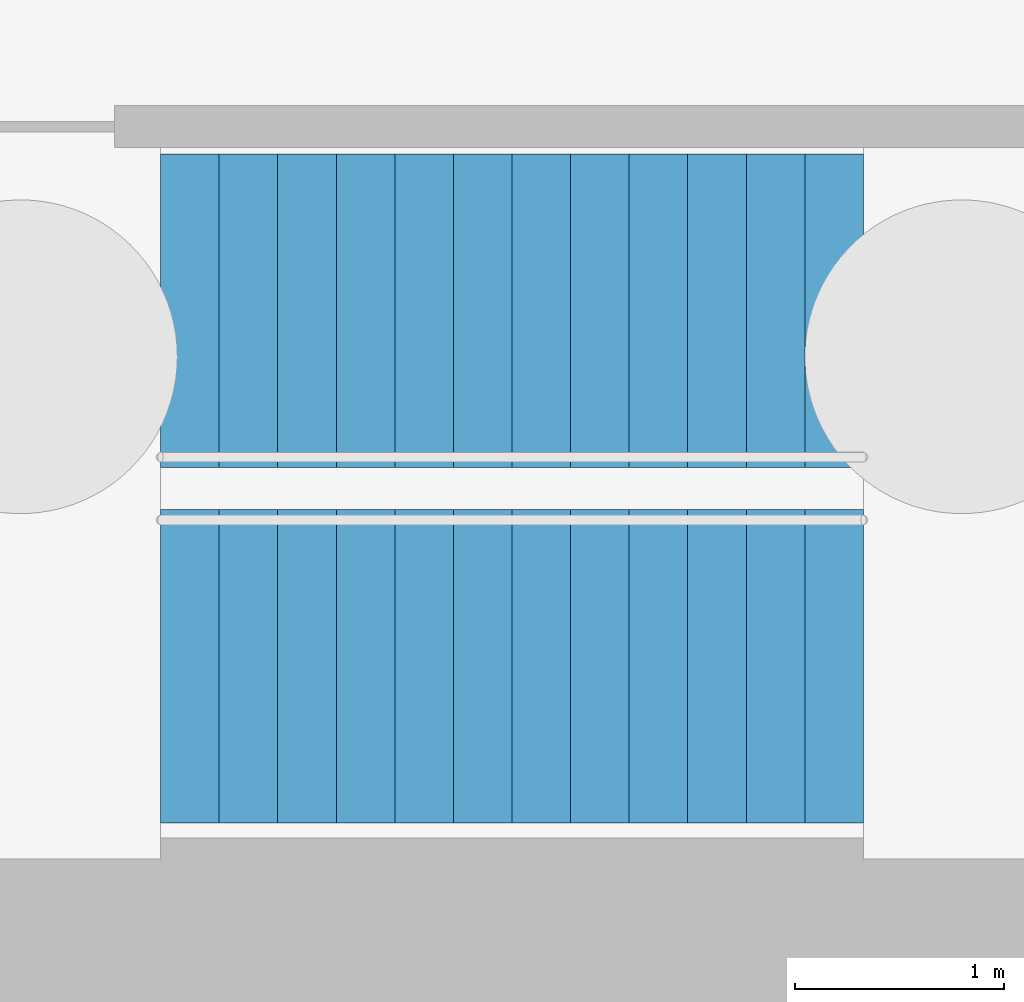
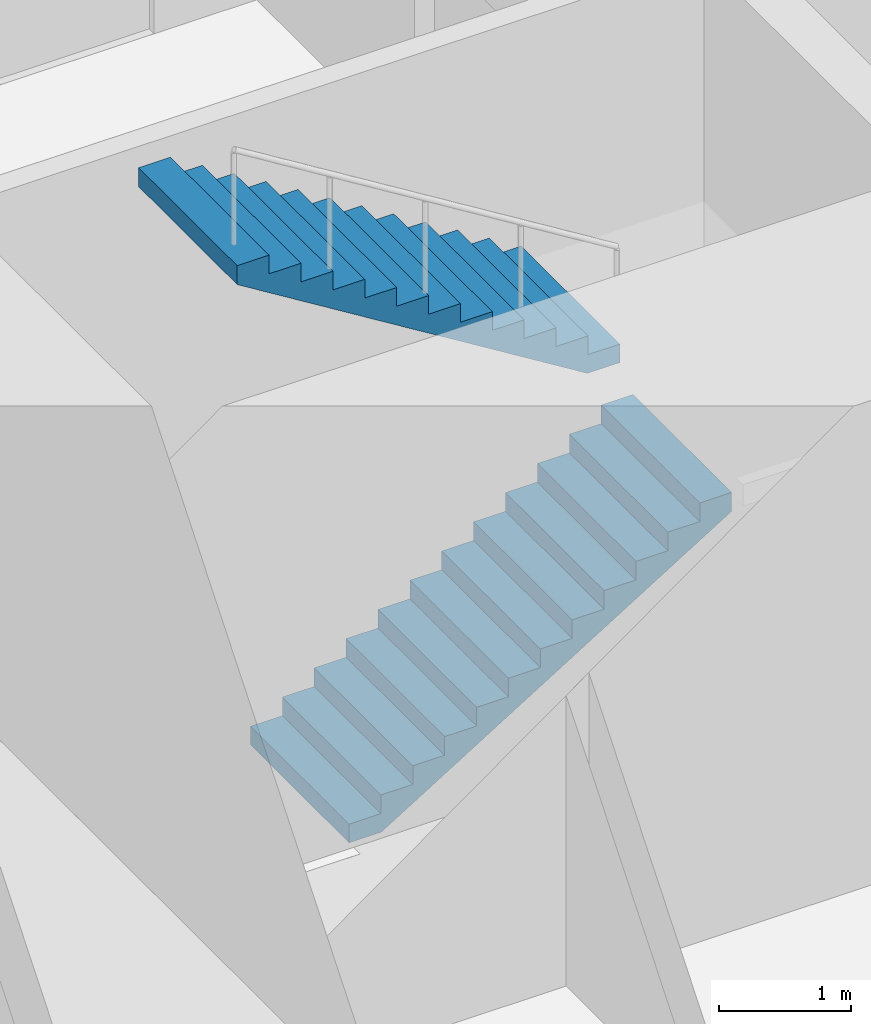
# One storey, part 8 of 11: 2 stair flights, 1 element without a shape of its own.
"""IFC4 building model written with IfcOpenShell, lengths in metres."""

from ifc_helpers import new_model, si_unit, direction, frame, origin, place, context, subcontext, project, spatial, triangles, material, type_object, element, aggregate, save


model = new_model("IFC4")

# Units and contexts
model_context = context("Model", 3, precision=1e-05, world=origin(), true_north=direction((0.0, 1.0)))
body_context = subcontext(model_context, "Body", "Model", "MODEL_VIEW")
ifc_project = project(units=[si_unit("LENGTHUNIT", "METRE"), si_unit("AREAUNIT", "SQUARE_METRE"), si_unit("VOLUMEUNIT", "CUBIC_METRE"), si_unit("PLANEANGLEUNIT", "RADIAN"), si_unit("MASSUNIT", "GRAM", prefix="KILO")], contexts=[model_context])

# Site, building, storey
site_placement = place(None, origin())
site = spatial("IfcSite", under=ifc_project, at=site_placement, CompositionType="ELEMENT")
building_placement = place(site_placement, origin())
building = spatial("IfcBuilding", under=site, at=building_placement, Name="Lantaw Convention Tower", CompositionType="ELEMENT")
storey_placement = place(building_placement, frame((0.0, 0.0, -10.0)))
storey = spatial("IfcBuildingStorey", under=building, at=storey_placement, Name="B2", CompositionType="ELEMENT", Elevation=-10.0)

# Stair, stair flights
ifc_material = material(Name="Concrete C35/45", Category="concrete")
stair_type = type_object("IfcStairType", Name="Exit stair 1500 riser 173.08 in 2 flights", PredefinedType="HALF_TURN_STAIR", material=ifc_material)
stair_placement = place(storey_placement, origin())
stair = element("IfcStair", 1, at=stair_placement, inside=storey, type_object=stair_type, Name="Exit stair S1 B2", PredefinedType="HALF_TURN_STAIR")
stair_flight_type = type_object("IfcStairFlightType", Name="Stair flight 1500 riser 173.08", PredefinedType="STRAIGHT", material=ifc_material)
stair_flight_1_placement = place(storey_placement, frame((-10.580078125, -5.97998046875, 0.0), z_axis=(0.0, 0.0, 1.0), x_axis=(1.0, 0.0, 0.0)))
stair_flight_1 = element("IfcStairFlight", 2, at=stair_flight_1_placement, type_object=stair_flight_type, Name="S1 flight 1", NumberOfRisers=13, NumberOfTreads=12, PredefinedType="STRAIGHT", RiserHeight=0.173076923, TreadLength=0.28, context=body_context, shape_type="Tessellation", body=[
    triangles([(0.0, 0.75, 0.0), (0.0, 0.75, 0.173076923), (0.28, 0.75, 0.0), (0.28, 0.75, 0.173076923), (0.28, 0.75, 0.346153846), (0.28509853184261624, 0.75, 0.0), (0.28509853184261624, 0.75, 0.346153846), (0.56, 0.75, 0.16992535798879452), (0.56, 0.75, 0.346153846), (0.56, 0.75, 0.519230769), (0.8400000000000001, 0.75, 0.34300228098879454), (0.8400000000000001, 0.75, 0.519230769), (0.8400000000000001, 0.75, 0.692307692), (1.12, 0.75, 0.5160792039887945), (1.12, 0.75, 0.692307692), (1.12, 0.75, 0.865384615), (1.4000000000000001, 0.75, 0.6891561269887945), (1.4000000000000001, 0.75, 0.865384615), (1.4000000000000001, 0.75, 1.038461538), (1.6800000000000002, 0.75, 0.8622330499887946), (1.6800000000000002, 0.75, 1.038461538), (1.6800000000000002, 0.75, 1.211538461), (1.9600000000000002, 0.75, 1.0353099729887945), (1.9600000000000002, 0.75, 1.211538461), (1.9600000000000002, 0.75, 1.384615384), (2.24, 0.75, 1.2083868959887945), (2.24, 0.75, 1.384615384), (2.24, 0.75, 1.557692307), (2.5200000000000005, 0.75, 1.3814638189887947), (2.5200000000000005, 0.75, 1.557692307), (2.5200000000000005, 0.75, 1.73076923), (2.8000000000000003, 0.75, 1.5545407419887944), (2.8000000000000003, 0.75, 1.73076923), (2.8000000000000003, 0.75, 1.903846153), (3.08, 0.75, 1.7276176649887944), (3.08, 0.75, 1.903846153), (3.08, 0.75, 2.076923076), (3.3600000000000003, 0.75, 1.9006945879887944), (3.3600000000000003, 0.75, 2.076923076), (0.0, -0.75, 0.0), (0.0, -0.75, 0.173076923), (0.28, -0.75, 0.0), (0.28, -0.75, 0.173076923), (0.28, -0.75, 0.346153846), (0.28509853184261624, -0.75, 0.0), (0.28509853184261624, -0.75, 0.346153846), (0.56, -0.75, 0.16992535798879452), (0.56, -0.75, 0.346153846), (0.56, -0.75, 0.519230769), (0.8400000000000001, -0.75, 0.34300228098879454), (0.8400000000000001, -0.75, 0.519230769), (0.8400000000000001, -0.75, 0.692307692), (1.12, -0.75, 0.5160792039887945), (1.12, -0.75, 0.692307692), (1.12, -0.75, 0.865384615), (1.4000000000000001, -0.75, 0.6891561269887945), (1.4000000000000001, -0.75, 0.865384615), (1.4000000000000001, -0.75, 1.038461538), (1.6800000000000002, -0.75, 0.8622330499887946), (1.6800000000000002, -0.75, 1.038461538), (1.6800000000000002, -0.75, 1.211538461), (1.9600000000000002, -0.75, 1.0353099729887945), (1.9600000000000002, -0.75, 1.211538461), (1.9600000000000002, -0.75, 1.384615384), (2.24, -0.75, 1.2083868959887945), (2.24, -0.75, 1.384615384), (2.24, -0.75, 1.557692307), (2.5200000000000005, -0.75, 1.3814638189887947), (2.5200000000000005, -0.75, 1.557692307), (2.5200000000000005, -0.75, 1.73076923), (2.8000000000000003, -0.75, 1.5545407419887944), (2.8000000000000003, -0.75, 1.73076923), (2.8000000000000003, -0.75, 1.903846153), (3.08, -0.75, 1.7276176649887944), (3.08, -0.75, 1.903846153), (3.08, -0.75, 2.076923076), (3.3600000000000003, -0.75, 1.9006945879887944), (3.3600000000000003, -0.75, 2.076923076), (0.0, 0.15000000000000002, 0.173076923), (0.0, 0.15000000000000002, 0.0), (0.0, 0.0, 0.173076923), (0.0, 0.0, 0.0), (0.0, -0.15000000000000002, 0.173076923), (0.0, -0.15000000000000002, 0.0), (0.28, 0.15000000000000002, 0.346153846), (0.28, 0.15000000000000002, 0.173076923), (0.28, 0.0, 0.346153846), (0.28, 0.0, 0.173076923), (0.28, -0.15000000000000002, 0.346153846), (0.28, -0.15000000000000002, 0.173076923), (0.56, 0.15000000000000002, 0.519230769), (0.56, 0.15000000000000002, 0.346153846), (0.56, 0.0, 0.519230769), (0.56, 0.0, 0.346153846), (0.56, -0.15000000000000002, 0.519230769), (0.56, -0.15000000000000002, 0.346153846), (0.8400000000000001, 0.15000000000000002, 0.692307692), (0.8400000000000001, 0.15000000000000002, 0.519230769), (0.8400000000000001, 0.0, 0.692307692), (0.8400000000000001, 0.0, 0.519230769), (0.8400000000000001, -0.15000000000000002, 0.692307692), (0.8400000000000001, -0.15000000000000002, 0.519230769), (1.12, 0.15000000000000002, 0.865384615), (1.12, 0.15000000000000002, 0.692307692), (1.12, 0.0, 0.865384615), (1.12, 0.0, 0.692307692), (1.12, -0.15000000000000002, 0.865384615), (1.12, -0.15000000000000002, 0.692307692), (1.4000000000000001, 0.15000000000000002, 1.038461538), (1.4000000000000001, 0.15000000000000002, 0.865384615), (1.4000000000000001, 0.0, 1.038461538), (1.4000000000000001, 0.0, 0.865384615), (1.4000000000000001, -0.15000000000000002, 1.038461538), (1.4000000000000001, -0.15000000000000002, 0.865384615), (1.6800000000000002, 0.15000000000000002, 1.211538461), (1.6800000000000002, 0.15000000000000002, 1.038461538), (1.6800000000000002, 0.0, 1.211538461), (1.6800000000000002, 0.0, 1.038461538), (1.6800000000000002, -0.15000000000000002, 1.211538461), (1.6800000000000002, -0.15000000000000002, 1.038461538), (1.9600000000000002, 0.15000000000000002, 1.384615384), (1.9600000000000002, 0.15000000000000002, 1.211538461), (1.9600000000000002, 0.0, 1.384615384), (1.9600000000000002, 0.0, 1.211538461), (1.9600000000000002, -0.15000000000000002, 1.384615384), (1.9600000000000002, -0.15000000000000002, 1.211538461), (2.24, 0.15000000000000002, 1.557692307), (2.24, 0.15000000000000002, 1.384615384), (2.24, 0.0, 1.557692307), (2.24, 0.0, 1.384615384), (2.24, -0.15000000000000002, 1.557692307), (2.24, -0.15000000000000002, 1.384615384), (2.5200000000000005, 0.15000000000000002, 1.73076923), (2.5200000000000005, 0.15000000000000002, 1.557692307), (2.5200000000000005, 0.0, 1.73076923), (2.5200000000000005, 0.0, 1.557692307), (2.5200000000000005, -0.15000000000000002, 1.73076923), (2.5200000000000005, -0.15000000000000002, 1.557692307), (2.8000000000000003, 0.15000000000000002, 1.903846153), (2.8000000000000003, 0.15000000000000002, 1.73076923), (2.8000000000000003, 0.0, 1.903846153), (2.8000000000000003, 0.0, 1.73076923), (2.8000000000000003, -0.15000000000000002, 1.903846153), (2.8000000000000003, -0.15000000000000002, 1.73076923), (3.08, 0.15000000000000002, 2.076923076), (3.08, 0.15000000000000002, 1.903846153), (3.08, 0.0, 2.076923076), (3.08, 0.0, 1.903846153), (3.08, -0.15000000000000002, 2.076923076), (3.08, -0.15000000000000002, 1.903846153), (0.28509853184261624, 0.15000000000000002, 0.346153846), (0.28509853184261624, 0.0, 0.346153846), (0.28509853184261624, -0.15000000000000002, 0.346153846), (3.3600000000000003, 0.15000000000000002, 2.076923076), (3.3600000000000003, 0.0, 2.076923076), (3.3600000000000003, -0.15000000000000002, 2.076923076), (3.3600000000000003, 0.15000000000000002, 1.9006945879887942), (3.3600000000000003, 0.0, 1.9006945879887942), (3.3600000000000003, -0.15000000000000002, 1.9006945879887942), (3.08, 0.15000000000000002, 1.7276176649887944), (3.08, 0.0, 1.7276176649887944), (3.08, -0.15000000000000002, 1.7276176649887944), (2.8000000000000003, 0.15000000000000002, 1.5545407419887944), (2.8000000000000003, 0.0, 1.5545407419887944), (2.8000000000000003, -0.15000000000000002, 1.5545407419887944), (2.5200000000000005, 0.15000000000000002, 1.3814638189887947), (2.5200000000000005, 0.0, 1.3814638189887947), (2.5200000000000005, -0.15000000000000002, 1.3814638189887947), (2.24, 0.15000000000000002, 1.2083868959887945), (2.24, 0.0, 1.2083868959887945), (2.24, -0.15000000000000002, 1.2083868959887945), (1.9600000000000002, 0.15000000000000002, 1.0353099729887945), (1.9600000000000002, 0.0, 1.0353099729887945), (1.9600000000000002, -0.15000000000000002, 1.0353099729887945), (1.6800000000000002, 0.15000000000000002, 0.8622330499887946), (1.6800000000000002, 0.0, 0.8622330499887946), (1.6800000000000002, -0.15000000000000002, 0.8622330499887946), (1.4000000000000001, 0.15000000000000002, 0.6891561269887945), (1.4000000000000001, 0.0, 0.6891561269887945), (1.4000000000000001, -0.15000000000000002, 0.6891561269887945), (1.12, 0.15000000000000002, 0.5160792039887945), (1.12, 0.0, 0.5160792039887945), (1.12, -0.15000000000000002, 0.5160792039887945), (0.8400000000000001, 0.15000000000000002, 0.34300228098879454), (0.8400000000000001, 0.0, 0.34300228098879454), (0.8400000000000001, -0.15000000000000002, 0.34300228098879454), (0.56, 0.15000000000000002, 0.16992535798879452), (0.56, 0.0, 0.16992535798879452), (0.56, -0.15000000000000002, 0.16992535798879452), (0.28509853184261624, 0.15000000000000002, 0.0), (0.28509853184261624, 0.0, 0.0), (0.28509853184261624, -0.15000000000000002, 0.0), (0.28, 0.15000000000000002, 0.0), (0.28, 0.0, 0.0), (0.28, -0.15000000000000002, 0.0)], [[1, 4, 3], [1, 2, 4], [3, 4, 6], [4, 7, 6], [4, 5, 7], [6, 9, 8], [6, 7, 9], [8, 9, 11], [9, 12, 11], [9, 10, 12], [11, 12, 14], [12, 15, 14], [12, 13, 15], [14, 15, 17], [15, 18, 17], [15, 16, 18], [17, 18, 20], [18, 21, 20], [18, 19, 21], [20, 21, 23], [21, 24, 23], [21, 22, 24], [23, 24, 26], [24, 27, 26], [24, 25, 27], [26, 27, 29], [27, 30, 29], [27, 28, 30], [29, 30, 32], [30, 33, 32], [30, 31, 33], [32, 33, 35], [33, 36, 35], [33, 34, 36], [35, 36, 38], [36, 39, 38], [36, 37, 39], [40, 42, 43], [40, 43, 41], [42, 45, 43], [43, 45, 46], [43, 46, 44], [45, 47, 48], [45, 48, 46], [47, 50, 48], [48, 50, 51], [48, 51, 49], [50, 53, 51], [51, 53, 54], [51, 54, 52], [53, 56, 54], [54, 56, 57], [54, 57, 55], [56, 59, 57], [57, 59, 60], [57, 60, 58], [59, 62, 60], [60, 62, 63], [60, 63, 61], [62, 65, 63], [63, 65, 66], [63, 66, 64], [65, 68, 66], [66, 68, 69], [66, 69, 67], [68, 71, 69], [69, 71, 72], [69, 72, 70], [71, 74, 72], [72, 74, 75], [72, 75, 73], [74, 77, 75], [75, 77, 78], [75, 78, 76], [1, 79, 2], [1, 80, 79], [80, 81, 79], [80, 82, 81], [82, 83, 81], [82, 84, 83], [84, 41, 83], [84, 40, 41], [4, 85, 5], [4, 86, 85], [86, 87, 85], [86, 88, 87], [88, 89, 87], [88, 90, 89], [90, 44, 89], [90, 43, 44], [9, 91, 10], [9, 92, 91], [92, 93, 91], [92, 94, 93], [94, 95, 93], [94, 96, 95], [96, 49, 95], [96, 48, 49], [12, 97, 13], [12, 98, 97], [98, 99, 97], [98, 100, 99], [100, 101, 99], [100, 102, 101], [102, 52, 101], [102, 51, 52], [15, 103, 16], [15, 104, 103], [104, 105, 103], [104, 106, 105], [106, 107, 105], [106, 108, 107], [108, 55, 107], [108, 54, 55], [18, 109, 19], [18, 110, 109], [110, 111, 109], [110, 112, 111], [112, 113, 111], [112, 114, 113], [114, 58, 113], [114, 57, 58], [21, 115, 22], [21, 116, 115], [116, 117, 115], [116, 118, 117], [118, 119, 117], [118, 120, 119], [120, 61, 119], [120, 60, 61], [24, 121, 25], [24, 122, 121], [122, 123, 121], [122, 124, 123], [124, 125, 123], [124, 126, 125], [126, 64, 125], [126, 63, 64], [27, 127, 28], [27, 128, 127], [128, 129, 127], [128, 130, 129], [130, 131, 129], [130, 132, 131], [132, 67, 131], [132, 66, 67], [30, 133, 31], [30, 134, 133], [134, 135, 133], [134, 136, 135], [136, 137, 135], [136, 138, 137], [138, 70, 137], [138, 69, 70], [33, 139, 34], [33, 140, 139], [140, 141, 139], [140, 142, 141], [142, 143, 141], [142, 144, 143], [144, 73, 143], [144, 72, 73], [36, 145, 37], [36, 146, 145], [146, 147, 145], [146, 148, 147], [148, 149, 147], [148, 150, 149], [150, 76, 149], [150, 75, 76], [2, 86, 4], [2, 79, 86], [79, 88, 86], [79, 81, 88], [81, 90, 88], [81, 83, 90], [83, 43, 90], [83, 41, 43], [5, 151, 7], [5, 85, 151], [85, 152, 151], [85, 87, 152], [87, 153, 152], [87, 89, 153], [89, 46, 153], [89, 44, 46], [7, 92, 9], [7, 151, 92], [151, 94, 92], [151, 152, 94], [152, 96, 94], [152, 153, 96], [153, 48, 96], [153, 46, 48], [10, 98, 12], [10, 91, 98], [91, 100, 98], [91, 93, 100], [93, 102, 100], [93, 95, 102], [95, 51, 102], [95, 49, 51], [13, 104, 15], [13, 97, 104], [97, 106, 104], [97, 99, 106], [99, 108, 106], [99, 101, 108], [101, 54, 108], [101, 52, 54], [16, 110, 18], [16, 103, 110], [103, 112, 110], [103, 105, 112], [105, 114, 112], [105, 107, 114], [107, 57, 114], [107, 55, 57], [19, 116, 21], [19, 109, 116], [109, 118, 116], [109, 111, 118], [111, 120, 118], [111, 113, 120], [113, 60, 120], [113, 58, 60], [22, 122, 24], [22, 115, 122], [115, 124, 122], [115, 117, 124], [117, 126, 124], [117, 119, 126], [119, 63, 126], [119, 61, 63], [25, 128, 27], [25, 121, 128], [121, 130, 128], [121, 123, 130], [123, 132, 130], [123, 125, 132], [125, 66, 132], [125, 64, 66], [28, 134, 30], [28, 127, 134], [127, 136, 134], [127, 129, 136], [129, 138, 136], [129, 131, 138], [131, 69, 138], [131, 67, 69], [31, 140, 33], [31, 133, 140], [133, 142, 140], [133, 135, 142], [135, 144, 142], [135, 137, 144], [137, 72, 144], [137, 70, 72], [34, 146, 36], [34, 139, 146], [139, 148, 146], [139, 141, 148], [141, 150, 148], [141, 143, 150], [143, 75, 150], [143, 73, 75], [37, 154, 39], [37, 145, 154], [145, 155, 154], [145, 147, 155], [147, 156, 155], [147, 149, 156], [149, 78, 156], [149, 76, 78], [39, 157, 38], [39, 154, 157], [154, 158, 157], [154, 155, 158], [155, 159, 158], [155, 156, 159], [156, 77, 159], [156, 78, 77], [38, 160, 35], [38, 157, 160], [157, 161, 160], [157, 158, 161], [158, 162, 161], [158, 159, 162], [159, 74, 162], [159, 77, 74], [35, 163, 32], [35, 160, 163], [160, 164, 163], [160, 161, 164], [161, 165, 164], [161, 162, 165], [162, 71, 165], [162, 74, 71], [32, 166, 29], [32, 163, 166], [163, 167, 166], [163, 164, 167], [164, 168, 167], [164, 165, 168], [165, 68, 168], [165, 71, 68], [29, 169, 26], [29, 166, 169], [166, 170, 169], [166, 167, 170], [167, 171, 170], [167, 168, 171], [168, 65, 171], [168, 68, 65], [26, 172, 23], [26, 169, 172], [169, 173, 172], [169, 170, 173], [170, 174, 173], [170, 171, 174], [171, 62, 174], [171, 65, 62], [23, 175, 20], [23, 172, 175], [172, 176, 175], [172, 173, 176], [173, 177, 176], [173, 174, 177], [174, 59, 177], [174, 62, 59], [20, 178, 17], [20, 175, 178], [175, 179, 178], [175, 176, 179], [176, 180, 179], [176, 177, 180], [177, 56, 180], [177, 59, 56], [17, 181, 14], [17, 178, 181], [178, 182, 181], [178, 179, 182], [179, 183, 182], [179, 180, 183], [180, 53, 183], [180, 56, 53], [14, 184, 11], [14, 181, 184], [181, 185, 184], [181, 182, 185], [182, 186, 185], [182, 183, 186], [183, 50, 186], [183, 53, 50], [11, 187, 8], [11, 184, 187], [184, 188, 187], [184, 185, 188], [185, 189, 188], [185, 186, 189], [186, 47, 189], [186, 50, 47], [8, 190, 6], [8, 187, 190], [187, 191, 190], [187, 188, 191], [188, 192, 191], [188, 189, 192], [189, 45, 192], [189, 47, 45], [6, 193, 3], [6, 190, 193], [190, 194, 193], [190, 191, 194], [191, 195, 194], [191, 192, 195], [192, 42, 195], [192, 45, 42], [3, 80, 1], [3, 193, 80], [193, 82, 80], [193, 194, 82], [194, 84, 82], [194, 195, 84], [195, 40, 84], [195, 42, 40]], closed=True),
])
stair_flight_2_placement = place(storey_placement, frame((-7.219970703125, -4.280029296875, 2.25), z_axis=(0.0, 0.0, 1.0), x_axis=(-1.0, 0.0, 0.0)))
stair_flight_2 = element("IfcStairFlight", 3, at=stair_flight_2_placement, type_object=stair_flight_type, Name="S1 flight 2", NumberOfRisers=13, NumberOfTreads=12, PredefinedType="STRAIGHT", RiserHeight=0.173076923, TreadLength=0.28, context=body_context, shape_type="Tessellation", body=[
    triangles([(0.0, 0.75, 0.0), (0.0, 0.75, 0.173076923), (0.28, 0.75, 0.0), (0.28, 0.75, 0.173076923), (0.28, 0.75, 0.346153846), (0.28509853184261624, 0.75, 0.0), (0.28509853184261624, 0.75, 0.346153846), (0.56, 0.75, 0.16992535798879452), (0.56, 0.75, 0.346153846), (0.56, 0.75, 0.519230769), (0.8400000000000001, 0.75, 0.34300228098879454), (0.8400000000000001, 0.75, 0.519230769), (0.8400000000000001, 0.75, 0.692307692), (1.12, 0.75, 0.5160792039887945), (1.12, 0.75, 0.692307692), (1.12, 0.75, 0.865384615), (1.4000000000000001, 0.75, 0.6891561269887945), (1.4000000000000001, 0.75, 0.865384615), (1.4000000000000001, 0.75, 1.038461538), (1.6800000000000002, 0.75, 0.8622330499887946), (1.6800000000000002, 0.75, 1.038461538), (1.6800000000000002, 0.75, 1.211538461), (1.9600000000000002, 0.75, 1.0353099729887945), (1.9600000000000002, 0.75, 1.211538461), (1.9600000000000002, 0.75, 1.384615384), (2.24, 0.75, 1.2083868959887945), (2.24, 0.75, 1.384615384), (2.24, 0.75, 1.557692307), (2.5200000000000005, 0.75, 1.3814638189887947), (2.5200000000000005, 0.75, 1.557692307), (2.5200000000000005, 0.75, 1.73076923), (2.8000000000000003, 0.75, 1.5545407419887944), (2.8000000000000003, 0.75, 1.73076923), (2.8000000000000003, 0.75, 1.903846153), (3.08, 0.75, 1.7276176649887944), (3.08, 0.75, 1.903846153), (3.08, 0.75, 2.076923076), (3.3600000000000003, 0.75, 1.9006945879887944), (3.3600000000000003, 0.75, 2.076923076), (0.0, -0.75, 0.0), (0.0, -0.75, 0.173076923), (0.28, -0.75, 0.0), (0.28, -0.75, 0.173076923), (0.28, -0.75, 0.346153846), (0.28509853184261624, -0.75, 0.0), (0.28509853184261624, -0.75, 0.346153846), (0.56, -0.75, 0.16992535798879452), (0.56, -0.75, 0.346153846), (0.56, -0.75, 0.519230769), (0.8400000000000001, -0.75, 0.34300228098879454), (0.8400000000000001, -0.75, 0.519230769), (0.8400000000000001, -0.75, 0.692307692), (1.12, -0.75, 0.5160792039887945), (1.12, -0.75, 0.692307692), (1.12, -0.75, 0.865384615), (1.4000000000000001, -0.75, 0.6891561269887945), (1.4000000000000001, -0.75, 0.865384615), (1.4000000000000001, -0.75, 1.038461538), (1.6800000000000002, -0.75, 0.8622330499887946), (1.6800000000000002, -0.75, 1.038461538), (1.6800000000000002, -0.75, 1.211538461), (1.9600000000000002, -0.75, 1.0353099729887945), (1.9600000000000002, -0.75, 1.211538461), (1.9600000000000002, -0.75, 1.384615384), (2.24, -0.75, 1.2083868959887945), (2.24, -0.75, 1.384615384), (2.24, -0.75, 1.557692307), (2.5200000000000005, -0.75, 1.3814638189887947), (2.5200000000000005, -0.75, 1.557692307), (2.5200000000000005, -0.75, 1.73076923), (2.8000000000000003, -0.75, 1.5545407419887944), (2.8000000000000003, -0.75, 1.73076923), (2.8000000000000003, -0.75, 1.903846153), (3.08, -0.75, 1.7276176649887944), (3.08, -0.75, 1.903846153), (3.08, -0.75, 2.076923076), (3.3600000000000003, -0.75, 1.9006945879887944), (3.3600000000000003, -0.75, 2.076923076), (0.0, 0.15000000000000002, 0.173076923), (0.0, 0.15000000000000002, 0.0), (0.0, 0.0, 0.173076923), (0.0, 0.0, 0.0), (0.0, -0.15000000000000002, 0.173076923), (0.0, -0.15000000000000002, 0.0), (0.28, 0.15000000000000002, 0.346153846), (0.28, 0.15000000000000002, 0.173076923), (0.28, 0.0, 0.346153846), (0.28, 0.0, 0.173076923), (0.28, -0.15000000000000002, 0.346153846), (0.28, -0.15000000000000002, 0.173076923), (0.56, 0.15000000000000002, 0.519230769), (0.56, 0.15000000000000002, 0.346153846), (0.56, 0.0, 0.519230769), (0.56, 0.0, 0.346153846), (0.56, -0.15000000000000002, 0.519230769), (0.56, -0.15000000000000002, 0.346153846), (0.8400000000000001, 0.15000000000000002, 0.692307692), (0.8400000000000001, 0.15000000000000002, 0.519230769), (0.8400000000000001, 0.0, 0.692307692), (0.8400000000000001, 0.0, 0.519230769), (0.8400000000000001, -0.15000000000000002, 0.692307692), (0.8400000000000001, -0.15000000000000002, 0.519230769), (1.12, 0.15000000000000002, 0.865384615), (1.12, 0.15000000000000002, 0.692307692), (1.12, 0.0, 0.865384615), (1.12, 0.0, 0.692307692), (1.12, -0.15000000000000002, 0.865384615), (1.12, -0.15000000000000002, 0.692307692), (1.4000000000000001, 0.15000000000000002, 1.038461538), (1.4000000000000001, 0.15000000000000002, 0.865384615), (1.4000000000000001, 0.0, 1.038461538), (1.4000000000000001, 0.0, 0.865384615), (1.4000000000000001, -0.15000000000000002, 1.038461538), (1.4000000000000001, -0.15000000000000002, 0.865384615), (1.6800000000000002, 0.15000000000000002, 1.211538461), (1.6800000000000002, 0.15000000000000002, 1.038461538), (1.6800000000000002, 0.0, 1.211538461), (1.6800000000000002, 0.0, 1.038461538), (1.6800000000000002, -0.15000000000000002, 1.211538461), (1.6800000000000002, -0.15000000000000002, 1.038461538), (1.9600000000000002, 0.15000000000000002, 1.384615384), (1.9600000000000002, 0.15000000000000002, 1.211538461), (1.9600000000000002, 0.0, 1.384615384), (1.9600000000000002, 0.0, 1.211538461), (1.9600000000000002, -0.15000000000000002, 1.384615384), (1.9600000000000002, -0.15000000000000002, 1.211538461), (2.24, 0.15000000000000002, 1.557692307), (2.24, 0.15000000000000002, 1.384615384), (2.24, 0.0, 1.557692307), (2.24, 0.0, 1.384615384), (2.24, -0.15000000000000002, 1.557692307), (2.24, -0.15000000000000002, 1.384615384), (2.5200000000000005, 0.15000000000000002, 1.73076923), (2.5200000000000005, 0.15000000000000002, 1.557692307), (2.5200000000000005, 0.0, 1.73076923), (2.5200000000000005, 0.0, 1.557692307), (2.5200000000000005, -0.15000000000000002, 1.73076923), (2.5200000000000005, -0.15000000000000002, 1.557692307), (2.8000000000000003, 0.15000000000000002, 1.903846153), (2.8000000000000003, 0.15000000000000002, 1.73076923), (2.8000000000000003, 0.0, 1.903846153), (2.8000000000000003, 0.0, 1.73076923), (2.8000000000000003, -0.15000000000000002, 1.903846153), (2.8000000000000003, -0.15000000000000002, 1.73076923), (3.08, 0.15000000000000002, 2.076923076), (3.08, 0.15000000000000002, 1.903846153), (3.08, 0.0, 2.076923076), (3.08, 0.0, 1.903846153), (3.08, -0.15000000000000002, 2.076923076), (3.08, -0.15000000000000002, 1.903846153), (0.28509853184261624, 0.15000000000000002, 0.346153846), (0.28509853184261624, 0.0, 0.346153846), (0.28509853184261624, -0.15000000000000002, 0.346153846), (3.3600000000000003, 0.15000000000000002, 2.076923076), (3.3600000000000003, 0.0, 2.076923076), (3.3600000000000003, -0.15000000000000002, 2.076923076), (3.3600000000000003, 0.15000000000000002, 1.9006945879887942), (3.3600000000000003, 0.0, 1.9006945879887942), (3.3600000000000003, -0.15000000000000002, 1.9006945879887942), (3.08, 0.15000000000000002, 1.7276176649887944), (3.08, 0.0, 1.7276176649887944), (3.08, -0.15000000000000002, 1.7276176649887944), (2.8000000000000003, 0.15000000000000002, 1.5545407419887944), (2.8000000000000003, 0.0, 1.5545407419887944), (2.8000000000000003, -0.15000000000000002, 1.5545407419887944), (2.5200000000000005, 0.15000000000000002, 1.3814638189887947), (2.5200000000000005, 0.0, 1.3814638189887947), (2.5200000000000005, -0.15000000000000002, 1.3814638189887947), (2.24, 0.15000000000000002, 1.2083868959887945), (2.24, 0.0, 1.2083868959887945), (2.24, -0.15000000000000002, 1.2083868959887945), (1.9600000000000002, 0.15000000000000002, 1.0353099729887945), (1.9600000000000002, 0.0, 1.0353099729887945), (1.9600000000000002, -0.15000000000000002, 1.0353099729887945), (1.6800000000000002, 0.15000000000000002, 0.8622330499887946), (1.6800000000000002, 0.0, 0.8622330499887946), (1.6800000000000002, -0.15000000000000002, 0.8622330499887946), (1.4000000000000001, 0.15000000000000002, 0.6891561269887945), (1.4000000000000001, 0.0, 0.6891561269887945), (1.4000000000000001, -0.15000000000000002, 0.6891561269887945), (1.12, 0.15000000000000002, 0.5160792039887945), (1.12, 0.0, 0.5160792039887945), (1.12, -0.15000000000000002, 0.5160792039887945), (0.8400000000000001, 0.15000000000000002, 0.34300228098879454), (0.8400000000000001, 0.0, 0.34300228098879454), (0.8400000000000001, -0.15000000000000002, 0.34300228098879454), (0.56, 0.15000000000000002, 0.16992535798879452), (0.56, 0.0, 0.16992535798879452), (0.56, -0.15000000000000002, 0.16992535798879452), (0.28509853184261624, 0.15000000000000002, 0.0), (0.28509853184261624, 0.0, 0.0), (0.28509853184261624, -0.15000000000000002, 0.0), (0.28, 0.15000000000000002, 0.0), (0.28, 0.0, 0.0), (0.28, -0.15000000000000002, 0.0)], [[1, 4, 3], [1, 2, 4], [3, 4, 6], [4, 7, 6], [4, 5, 7], [6, 9, 8], [6, 7, 9], [8, 9, 11], [9, 12, 11], [9, 10, 12], [11, 12, 14], [12, 15, 14], [12, 13, 15], [14, 15, 17], [15, 18, 17], [15, 16, 18], [17, 18, 20], [18, 21, 20], [18, 19, 21], [20, 21, 23], [21, 24, 23], [21, 22, 24], [23, 24, 26], [24, 27, 26], [24, 25, 27], [26, 27, 29], [27, 30, 29], [27, 28, 30], [29, 30, 32], [30, 33, 32], [30, 31, 33], [32, 33, 35], [33, 36, 35], [33, 34, 36], [35, 36, 38], [36, 39, 38], [36, 37, 39], [40, 42, 43], [40, 43, 41], [42, 45, 43], [43, 45, 46], [43, 46, 44], [45, 47, 48], [45, 48, 46], [47, 50, 48], [48, 50, 51], [48, 51, 49], [50, 53, 51], [51, 53, 54], [51, 54, 52], [53, 56, 54], [54, 56, 57], [54, 57, 55], [56, 59, 57], [57, 59, 60], [57, 60, 58], [59, 62, 60], [60, 62, 63], [60, 63, 61], [62, 65, 63], [63, 65, 66], [63, 66, 64], [65, 68, 66], [66, 68, 69], [66, 69, 67], [68, 71, 69], [69, 71, 72], [69, 72, 70], [71, 74, 72], [72, 74, 75], [72, 75, 73], [74, 77, 75], [75, 77, 78], [75, 78, 76], [1, 79, 2], [1, 80, 79], [80, 81, 79], [80, 82, 81], [82, 83, 81], [82, 84, 83], [84, 41, 83], [84, 40, 41], [4, 85, 5], [4, 86, 85], [86, 87, 85], [86, 88, 87], [88, 89, 87], [88, 90, 89], [90, 44, 89], [90, 43, 44], [9, 91, 10], [9, 92, 91], [92, 93, 91], [92, 94, 93], [94, 95, 93], [94, 96, 95], [96, 49, 95], [96, 48, 49], [12, 97, 13], [12, 98, 97], [98, 99, 97], [98, 100, 99], [100, 101, 99], [100, 102, 101], [102, 52, 101], [102, 51, 52], [15, 103, 16], [15, 104, 103], [104, 105, 103], [104, 106, 105], [106, 107, 105], [106, 108, 107], [108, 55, 107], [108, 54, 55], [18, 109, 19], [18, 110, 109], [110, 111, 109], [110, 112, 111], [112, 113, 111], [112, 114, 113], [114, 58, 113], [114, 57, 58], [21, 115, 22], [21, 116, 115], [116, 117, 115], [116, 118, 117], [118, 119, 117], [118, 120, 119], [120, 61, 119], [120, 60, 61], [24, 121, 25], [24, 122, 121], [122, 123, 121], [122, 124, 123], [124, 125, 123], [124, 126, 125], [126, 64, 125], [126, 63, 64], [27, 127, 28], [27, 128, 127], [128, 129, 127], [128, 130, 129], [130, 131, 129], [130, 132, 131], [132, 67, 131], [132, 66, 67], [30, 133, 31], [30, 134, 133], [134, 135, 133], [134, 136, 135], [136, 137, 135], [136, 138, 137], [138, 70, 137], [138, 69, 70], [33, 139, 34], [33, 140, 139], [140, 141, 139], [140, 142, 141], [142, 143, 141], [142, 144, 143], [144, 73, 143], [144, 72, 73], [36, 145, 37], [36, 146, 145], [146, 147, 145], [146, 148, 147], [148, 149, 147], [148, 150, 149], [150, 76, 149], [150, 75, 76], [2, 86, 4], [2, 79, 86], [79, 88, 86], [79, 81, 88], [81, 90, 88], [81, 83, 90], [83, 43, 90], [83, 41, 43], [5, 151, 7], [5, 85, 151], [85, 152, 151], [85, 87, 152], [87, 153, 152], [87, 89, 153], [89, 46, 153], [89, 44, 46], [7, 92, 9], [7, 151, 92], [151, 94, 92], [151, 152, 94], [152, 96, 94], [152, 153, 96], [153, 48, 96], [153, 46, 48], [10, 98, 12], [10, 91, 98], [91, 100, 98], [91, 93, 100], [93, 102, 100], [93, 95, 102], [95, 51, 102], [95, 49, 51], [13, 104, 15], [13, 97, 104], [97, 106, 104], [97, 99, 106], [99, 108, 106], [99, 101, 108], [101, 54, 108], [101, 52, 54], [16, 110, 18], [16, 103, 110], [103, 112, 110], [103, 105, 112], [105, 114, 112], [105, 107, 114], [107, 57, 114], [107, 55, 57], [19, 116, 21], [19, 109, 116], [109, 118, 116], [109, 111, 118], [111, 120, 118], [111, 113, 120], [113, 60, 120], [113, 58, 60], [22, 122, 24], [22, 115, 122], [115, 124, 122], [115, 117, 124], [117, 126, 124], [117, 119, 126], [119, 63, 126], [119, 61, 63], [25, 128, 27], [25, 121, 128], [121, 130, 128], [121, 123, 130], [123, 132, 130], [123, 125, 132], [125, 66, 132], [125, 64, 66], [28, 134, 30], [28, 127, 134], [127, 136, 134], [127, 129, 136], [129, 138, 136], [129, 131, 138], [131, 69, 138], [131, 67, 69], [31, 140, 33], [31, 133, 140], [133, 142, 140], [133, 135, 142], [135, 144, 142], [135, 137, 144], [137, 72, 144], [137, 70, 72], [34, 146, 36], [34, 139, 146], [139, 148, 146], [139, 141, 148], [141, 150, 148], [141, 143, 150], [143, 75, 150], [143, 73, 75], [37, 154, 39], [37, 145, 154], [145, 155, 154], [145, 147, 155], [147, 156, 155], [147, 149, 156], [149, 78, 156], [149, 76, 78], [39, 157, 38], [39, 154, 157], [154, 158, 157], [154, 155, 158], [155, 159, 158], [155, 156, 159], [156, 77, 159], [156, 78, 77], [38, 160, 35], [38, 157, 160], [157, 161, 160], [157, 158, 161], [158, 162, 161], [158, 159, 162], [159, 74, 162], [159, 77, 74], [35, 163, 32], [35, 160, 163], [160, 164, 163], [160, 161, 164], [161, 165, 164], [161, 162, 165], [162, 71, 165], [162, 74, 71], [32, 166, 29], [32, 163, 166], [163, 167, 166], [163, 164, 167], [164, 168, 167], [164, 165, 168], [165, 68, 168], [165, 71, 68], [29, 169, 26], [29, 166, 169], [166, 170, 169], [166, 167, 170], [167, 171, 170], [167, 168, 171], [168, 65, 171], [168, 68, 65], [26, 172, 23], [26, 169, 172], [169, 173, 172], [169, 170, 173], [170, 174, 173], [170, 171, 174], [171, 62, 174], [171, 65, 62], [23, 175, 20], [23, 172, 175], [172, 176, 175], [172, 173, 176], [173, 177, 176], [173, 174, 177], [174, 59, 177], [174, 62, 59], [20, 178, 17], [20, 175, 178], [175, 179, 178], [175, 176, 179], [176, 180, 179], [176, 177, 180], [177, 56, 180], [177, 59, 56], [17, 181, 14], [17, 178, 181], [178, 182, 181], [178, 179, 182], [179, 183, 182], [179, 180, 183], [180, 53, 183], [180, 56, 53], [14, 184, 11], [14, 181, 184], [181, 185, 184], [181, 182, 185], [182, 186, 185], [182, 183, 186], [183, 50, 186], [183, 53, 50], [11, 187, 8], [11, 184, 187], [184, 188, 187], [184, 185, 188], [185, 189, 188], [185, 186, 189], [186, 47, 189], [186, 50, 47], [8, 190, 6], [8, 187, 190], [187, 191, 190], [187, 188, 191], [188, 192, 191], [188, 189, 192], [189, 45, 192], [189, 47, 45], [6, 193, 3], [6, 190, 193], [190, 194, 193], [190, 191, 194], [191, 195, 194], [191, 192, 195], [192, 42, 195], [192, 45, 42], [3, 80, 1], [3, 193, 80], [193, 82, 80], [193, 194, 82], [194, 84, 82], [194, 195, 84], [195, 40, 84], [195, 42, 40]], closed=True),
])
aggregate(stair, [stair_flight_1, stair_flight_2])

save(model, "model.ifc")
